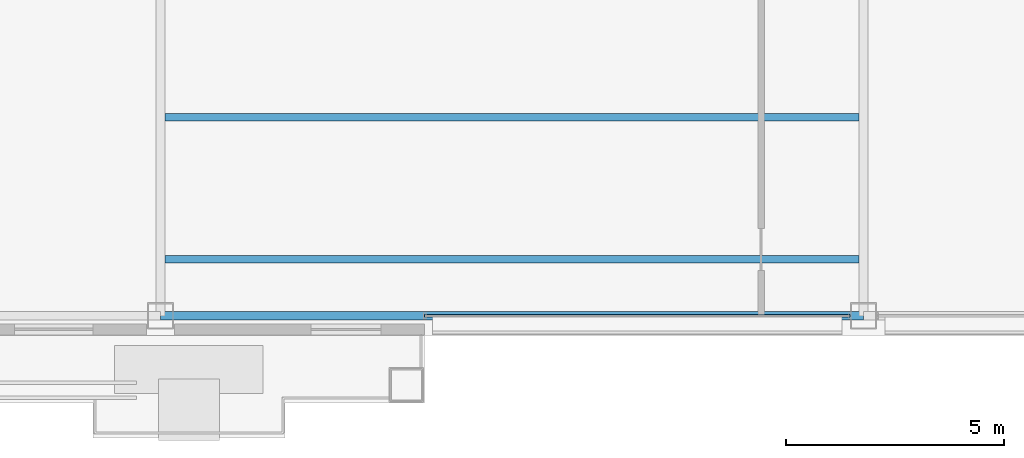
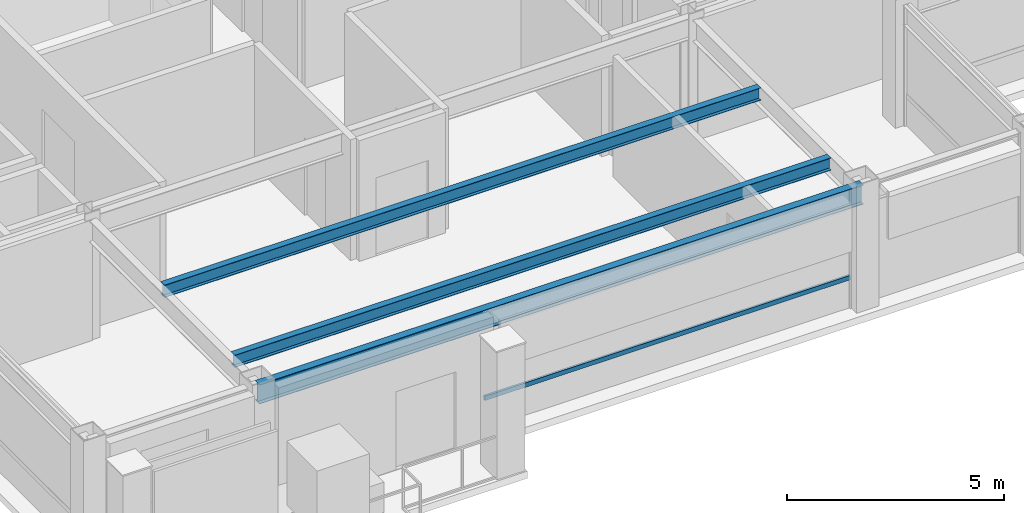
# One storey, part 6 of 27: 3 beams, 1 member, 1 element without a shape of its own.
"""IFC4 building model written with IfcOpenShell, lengths in metres."""

from ifc_helpers import new_model, si_unit, direction, frame, origin, origin_2d, place, context, subcontext, project, spatial, hollow_rectangle, i_section, extrude, material, layer, layer_set, material_profile, profile_set, type_object, element, aggregate, save


model = new_model("IFC4")

# Units and contexts
model_context = context("Model", 3, precision=1e-05, world=origin(), true_north=direction((0.0, 1.0)))
body_context = subcontext(model_context, "Body", "Model", "MODEL_VIEW")
ifc_project = project(units=[si_unit("LENGTHUNIT", "METRE"), si_unit("AREAUNIT", "SQUARE_METRE"), si_unit("VOLUMEUNIT", "CUBIC_METRE"), si_unit("PLANEANGLEUNIT", "RADIAN"), si_unit("MASSUNIT", "GRAM", prefix="KILO")], contexts=[model_context])

# Site, building, storey
site_placement = place(None, origin())
site = spatial("IfcSite", under=ifc_project, at=site_placement, CompositionType="ELEMENT")
building_placement = place(site_placement, origin())
building = spatial("IfcBuilding", under=site, at=building_placement, Name="Brelmoor Portico Tower", CompositionType="ELEMENT")
storey_placement = place(building_placement, frame((0.0, 0.0, 250.800048828125)))
storey = spatial("IfcBuildingStorey", under=building, at=storey_placement, Name="L66", CompositionType="ELEMENT", Elevation=250.800048828125)

# Beams
ifc_material_1 = material(Name="Steel Q355B", Category="steel")
ifc_material_profile_1 = material_profile(ifc_material_1, i_section(OverallWidth=0.175048828125, OverallDepth=0.35009765625, WebThickness=0.007080078125, FlangeThickness=0.010986328125, at=origin_2d()), Name="HN 350x175x7x11")
ifc_profile_set_1 = profile_set([ifc_material_profile_1], Name="Steel Q355B")
beam_type_1 = type_object("IfcBeamType", Name="BM-JS-350", PredefinedType="JOIST", material=ifc_profile_set_1)
for number, where, z_axis, x_axis, name in (
    (1, (-7.949951171875, -16.25, 3.224853515625), (1.0, 0.0, 0.0), (0.0, 1.0, 0.0), "L66 Secondary Composite Joist JS-C01"),
    (2, (-7.949951171875, -13.0, 3.224853515625), (1.0, 0.0, 0.0), (0.0, 1.0, 0.0), "L66 Secondary Composite Joist JS-C02"),
):
    element("IfcBeam", number, at=place(storey_placement, frame(where, z_axis=z_axis, x_axis=x_axis)), inside=storey, type_object=beam_type_1, Name=name, PredefinedType="JOIST", context=body_context, shape_type="SweptSolid", body=[
        extrude(i_section(OverallWidth=0.175048828125, OverallDepth=0.35009765625, WebThickness=0.007080078125, FlangeThickness=0.010986328125, at=origin_2d()), origin(), (0.0, 0.0, 1.0), 15.89990234375),
    ])
ifc_material_profile_2 = material_profile(ifc_material_1, i_section(OverallWidth=0.199951171875, OverallDepth=0.550048828125, WebThickness=0.010009765625, FlangeThickness=0.01611328125, at=origin_2d()), Name="HN 550x200x10x16")
ifc_profile_set_2 = profile_set([ifc_material_profile_2], Name="Steel Q355B")
beam_type_2 = type_object("IfcBeamType", Name="BM-SP-550", PredefinedType="SPANDREL", material=ifc_profile_set_2)
beam_placement = place(storey_placement, frame((-8.050048828125, -17.550048828125, 3.125), z_axis=(1.0, 0.0, 0.0), x_axis=(0.0, 1.0, 0.0)))
element("IfcBeam", 3, at=beam_placement, inside=storey, type_object=beam_type_2, Name="L66 Perimeter Spandrel Beam SP-02", PredefinedType="SPANDREL", context=body_context, shape_type="SweptSolid", body=[
    extrude(i_section(OverallWidth=0.199951171875, OverallDepth=0.550048828125, WebThickness=0.010009765625, FlangeThickness=0.01611328125, at=origin_2d()), origin(), (0.0, 0.0, 1.0), 16.10009765625),
])

# Curtain wall, member
ifc_material_2 = material(Name="Anodised Aluminium Alloy 6063-T6", Category="aluminium")
ifc_layer = layer(ifc_material_2, 0.179931640625)
ifc_layer_set = layer_set([ifc_layer], Name="Anodised Aluminium Alloy 6063-T6")
curtain_wall_type = type_object("IfcCurtainWallType", Name="CW-TOWER-Z4", PredefinedType="NOTDEFINED", material=ifc_layer_set)
curtain_wall_placement = place(storey_placement, origin())
curtain_wall = element("IfcCurtainWall", 4, at=curtain_wall_placement, inside=storey, type_object=curtain_wall_type, Name="L66 Curtain Wall CW-L66-1R-1", PredefinedType="NOTDEFINED")
ifc_material_profile_3 = material_profile(ifc_material_2, hollow_rectangle(XDim=0.06005859375, YDim=0.125, WallThickness=0.00341796875, at=origin_2d()), Name="ALU TRANSOM 60x125")
ifc_profile_set_3 = profile_set([ifc_material_profile_3], Name="Anodised Aluminium Alloy 6063-T6")
member_type = type_object("IfcMemberType", Name="MB-CW-TRAN-125", PredefinedType="USERDEFINED", material=ifc_profile_set_3)
member_placement = place(storey_placement, frame((-2.0, -17.550048828125, 0.849853515625), z_axis=(1.0, 0.0, 0.0), x_axis=(0.0, 1.0, 0.0)))
member = element("IfcMember", 5, at=member_placement, type_object=member_type, Name="CW-L66-1R-1 Transom 1-00", ObjectType="TRANSOM", PredefinedType="USERDEFINED", context=body_context, shape_type="SweptSolid", body=[
    extrude(hollow_rectangle(XDim=0.06005859375, YDim=0.125, WallThickness=0.00341796875, at=origin_2d()), origin(), (0.0, 0.0, 1.0), 9.739990234375),
])
aggregate(curtain_wall, [member])

save(model, "model.ifc")
